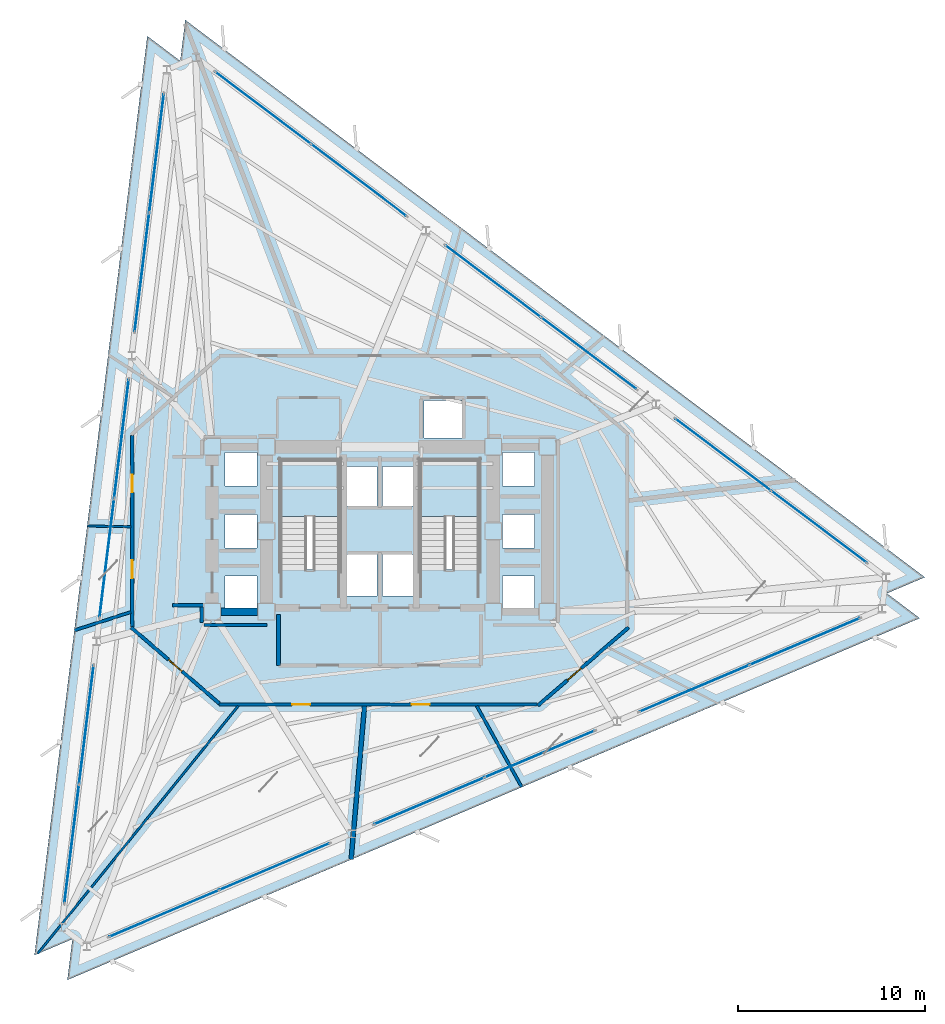
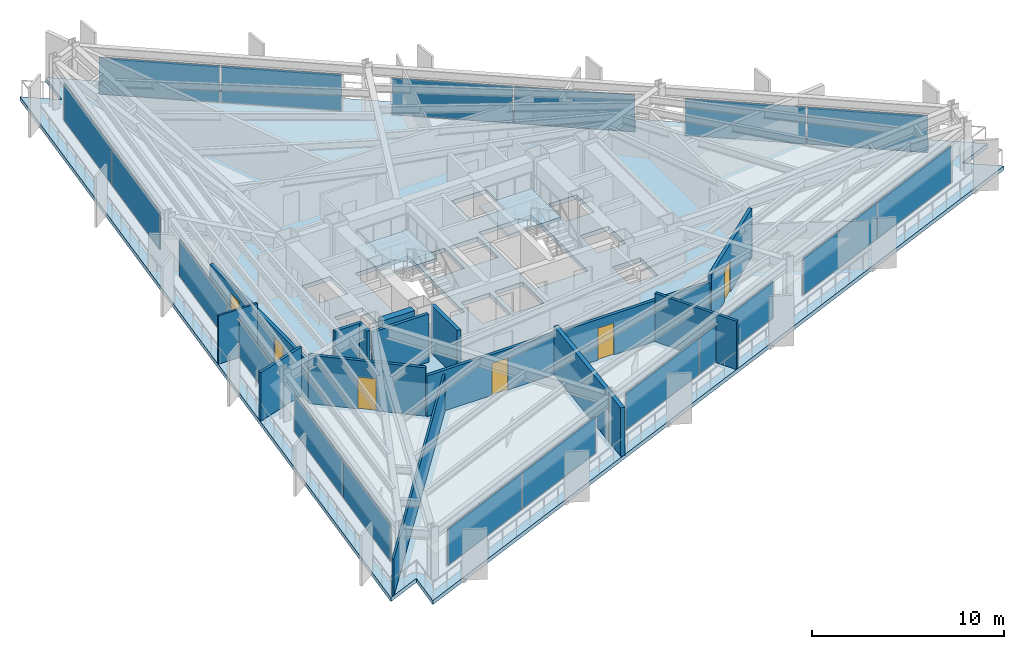
# One storey, part 6 of 13: 18 plates, 14 walls, 6 doors, 3 slabs, 6 openings, 11 elements without a shape of their own.
"""IFC4 building model written with IfcOpenShell, lengths in metres."""

import ifcopenshell
import ifcopenshell.guid

model = None  # the IFC model being written
_history = None  # IfcOwnerHistory: only IFC2X3 demands one
_inside = {}  # id of a spatial element -> (the spatial element, [elements in it])
_under = {}  # id of a project, library or spatial element -> (it, [spatial elements below it])
_declared = {}  # id of a project -> (the project, [libraries it declares])
_typed = {}  # id of a type object -> (the type object, [elements of that type])
_made_of = {}  # id of a material, layer set ... -> (it, [elements and type objects made of it])


def new_model(schema):
    """Start an empty IFC model of exactly this schema.

    Asked for "IFC4X3", IfcOpenShell would pick the latest addendum, in which some entities
    have other attributes; the version numbers below select the first issue.
    IFC2X3 requires an IfcOwnerHistory on every rooted entity: one is made here for all.
    """
    global model, _history
    if schema == "IFC4X3":
        model = ifcopenshell.file(schema_version=(4, 3, 0, 0))
    else:
        model = ifcopenshell.file(schema=schema)
    _inside.clear()
    _under.clear()
    _declared.clear()
    _typed.clear()
    _made_of.clear()
    _history = None
    if model.schema == "IFC2X3":
        org = make("IfcOrganization", Name="unknown")
        user = make(
            "IfcPersonAndOrganization",
            ThePerson=make("IfcPerson", FamilyName="unknown"),
            TheOrganization=org,
        )
        app = make(
            "IfcApplication",
            ApplicationDeveloper=org,
            Version="unknown",
            ApplicationFullName="unknown",
            ApplicationIdentifier="unknown",
        )
        _history = make(
            "IfcOwnerHistory",
            OwningUser=user,
            OwningApplication=app,
            ChangeAction="ADDED",
            CreationDate=0,
        )
    return model


def make(cls, **values):
    """One entity of the class cls with the attributes given. An attribute that is None is left unset."""
    return model.create_entity(
        cls, **{name: value for name, value in values.items() if value is not None}
    )


def rooted(cls, **values):
    """An entity with a GlobalId (a new one), such as an element, a storey or a relation."""
    return make(cls, GlobalId=ifcopenshell.guid.new(), OwnerHistory=_history, **values)


def si_unit(unit_type, name, prefix=None):
    """IfcSIUnit, for example si_unit("LENGTHUNIT", "METRE", prefix="MILLI")."""
    return make("IfcSIUnit", UnitType=unit_type, Prefix=prefix, Name=name)


def assignment(units):
    """IfcUnitAssignment: the units of a project."""
    return None if units is None else make("IfcUnitAssignment", Units=units)


def point(xyz):
    """IfcCartesianPoint."""
    return None if xyz is None else make("IfcCartesianPoint", Coordinates=xyz)


def direction(xyz):
    """IfcDirection."""
    return None if xyz is None else make("IfcDirection", DirectionRatios=xyz)


def frame(location, z_axis=None, x_axis=None):
    """IfcAxis2Placement3D, a coordinate frame: its origin and axes. An axis left out is left unset."""
    return make(
        "IfcAxis2Placement3D",
        Location=point(location),
        Axis=direction(z_axis),
        RefDirection=direction(x_axis),
    )


def frame_2d(location, x_axis=None):
    """IfcAxis2Placement2D, a coordinate frame in the plane: its origin and x axis."""
    return make(
        "IfcAxis2Placement2D", Location=point(location), RefDirection=direction(x_axis)
    )


def origin():
    """The frame at (0, 0, 0) with its axes left unset."""
    return frame((0.0, 0.0, 0.0))


def origin_2d():
    """The frame at (0, 0) in the plane with its x axis left unset."""
    return frame_2d((0.0, 0.0))


def place(relative_to, where):
    """IfcLocalPlacement: puts the frame where relative to a parent placement (None: the world)."""
    return make(
        "IfcLocalPlacement", PlacementRelTo=relative_to, RelativePlacement=where
    )


def context(
    kind, dimensions, precision=None, world=None, true_north=None, identifier=None
):
    """IfcGeometricRepresentationContext, for example the 3D "Model" context."""
    return make(
        "IfcGeometricRepresentationContext",
        ContextIdentifier=identifier,
        ContextType=kind,
        CoordinateSpaceDimension=dimensions,
        Precision=precision,
        WorldCoordinateSystem=world,
        TrueNorth=true_north,
    )


def subcontext(parent, identifier, kind, view, scale=None):
    """IfcGeometricRepresentationSubContext, for example "Body" below "Model"."""
    return make(
        "IfcGeometricRepresentationSubContext",
        ContextIdentifier=identifier,
        ContextType=kind,
        ParentContext=parent,
        TargetScale=scale,
        TargetView=view,
    )


def project(units=None, contexts=None):
    """IfcProject with its units and contexts."""
    return rooted(
        "IfcProject",
        Name="project",
        RepresentationContexts=contexts,
        UnitsInContext=assignment(units),
    )


def spatial(cls, under=None, at=None, **own):
    """A site, building, storey or space (cls), placed at a placement, below another one or the project."""
    s = rooted(cls, ObjectPlacement=at, **own)
    if under is not None:
        _under.setdefault(under.id(), (under, []))[1].append(s)
    return s


def polyline(points):
    """IfcPolyline through the points."""
    return make("IfcPolyline", Points=[point(p) for p in points])


def profile(cls, at=None, kind="AREA", **sizes):
    """A parametric profile (cls). Its sizes go by their IFC names, for example OverallWidth=200.0."""
    return make(cls, ProfileType=kind, Position=at, **sizes)


def rectangle(**sizes):
    """IfcRectangleProfileDef."""
    return profile("IfcRectangleProfileDef", **sizes)


def outline(outer, holes=None, kind="AREA"):
    """IfcArbitraryClosedProfileDef: a profile drawn as a closed curve; with holes, ...WithVoids."""
    if holes is None:
        return make("IfcArbitraryClosedProfileDef", ProfileType=kind, OuterCurve=outer)
    return make(
        "IfcArbitraryProfileDefWithVoids",
        ProfileType=kind,
        OuterCurve=outer,
        InnerCurves=holes,
    )


def extrude(swept, where, along, depth):
    """IfcExtrudedAreaSolid: the profile swept, set in the frame where, extruded along a direction by depth."""
    return make(
        "IfcExtrudedAreaSolid",
        SweptArea=swept,
        Position=where,
        ExtrudedDirection=direction(along),
        Depth=depth,
    )


def shape(context_of_items, identifier, shape_type, items):
    """IfcShapeRepresentation: the items that make up one representation, for example the "Body"."""
    return make(
        "IfcShapeRepresentation",
        ContextOfItems=context_of_items,
        RepresentationIdentifier=identifier,
        RepresentationType=shape_type,
        Items=items,
    )


def material(Name=None, Category=None):
    """IfcMaterial."""
    return make("IfcMaterial", Name=Name, Category=Category)


def layer(
    of_material, thickness, ventilated=None, Name=None, Category=None, Priority=None
):
    """IfcMaterialLayer: one layer of a wall or slab, of a material (None: an air gap)."""
    return make(
        "IfcMaterialLayer",
        Material=of_material,
        LayerThickness=thickness,
        IsVentilated=ventilated,
        Name=Name,
        Category=Category,
        Priority=Priority,
    )


def layer_set(layers, Name=None):
    """IfcMaterialLayerSet."""
    return make("IfcMaterialLayerSet", MaterialLayers=layers, LayerSetName=Name)


def made_of(thing, what):
    """Note that an element or type object is made of a material, layer set ...; save() writes the relation."""
    if what is not None:
        _made_of.setdefault(what.id(), (what, []))[1].append(thing)
    return thing


def type_object(cls, material=None, **own):
    """A type object (cls), such as IfcWallType, which elements share."""
    return made_of(rooted(cls, **own), material)


def element(
    cls,
    number,
    at=None,
    inside=None,
    cuts=None,
    type_object=None,
    material=None,
    context=None,
    identifier="Body",
    shape_type=None,
    held_by="IfcProductDefinitionShape",
    body=None,
    shapes=None,
    **own,
):
    """One element of the class cls, such as IfcWall. Its Tag is "e" and its number.

    at: its placement. inside: the storey or other place that contains it. cuts: it is an
    opening in that element (IfcRelVoidsElement). A single representation is given by context,
    identifier, shape_type and body (its items); several are given by shapes. held_by: the class
    of the entity that holds the representations. save() writes the other relations.
    """
    e = rooted(cls, Tag="e%d" % number, ObjectPlacement=at, **own)
    if body is not None:
        shapes = [shape(context, identifier, shape_type, body)]
    if shapes is not None:
        e.Representation = make(held_by, Representations=shapes)
    if inside is not None:
        _inside.setdefault(inside.id(), (inside, []))[1].append(e)
    if cuts is not None:
        rooted(
            "IfcRelVoidsElement", RelatingBuildingElement=cuts, RelatedOpeningElement=e
        )
    if type_object is not None:
        _typed.setdefault(type_object.id(), (type_object, []))[1].append(e)
    return made_of(e, material)


def fill(opening, filler):
    """IfcRelFillsElement: the door or window that sits in an opening."""
    return rooted(
        "IfcRelFillsElement",
        RelatingOpeningElement=opening,
        RelatedBuildingElement=filler,
    )


def aggregate(whole, parts):
    """IfcRelAggregates: a whole, such as a stair, and the parts it consists of."""
    return rooted("IfcRelAggregates", RelatingObject=whole, RelatedObjects=parts)


def save(model, path):
    """Write the relations noted so far, then the file.

    IfcRelAggregates (storeys below a building ...), IfcRelContainedInSpatialStructure (elements
    in a storey), IfcRelDefinesByType, IfcRelAssociatesMaterial and IfcRelDeclares: one each for
    every whole, place, type object, material and project.
    """
    for whole, parts in _under.values():
        aggregate(whole, parts)
    for where, things in _inside.values():
        rooted(
            "IfcRelContainedInSpatialStructure",
            RelatedElements=things,
            RelatingStructure=where,
        )
    for kind, things in _typed.values():
        rooted("IfcRelDefinesByType", RelatedObjects=things, RelatingType=kind)
    for what, things in _made_of.values():
        rooted("IfcRelAssociatesMaterial", RelatedObjects=things, RelatingMaterial=what)
    for by, libraries in _declared.values():
        rooted("IfcRelDeclares", RelatingContext=by, RelatedDefinitions=libraries)
    model.write(path)


model = new_model("IFC4")

# Units and contexts
model_context = context("Model", 3, precision=1e-05, world=origin(), true_north=direction((0.0, 1.0)))
body_context = subcontext(model_context, "Body", "Model", "MODEL_VIEW")
ifc_project = project(units=[si_unit("LENGTHUNIT", "METRE"), si_unit("AREAUNIT", "SQUARE_METRE"), si_unit("VOLUMEUNIT", "CUBIC_METRE"), si_unit("PLANEANGLEUNIT", "RADIAN"), si_unit("MASSUNIT", "GRAM", prefix="KILO")], contexts=[model_context])

# Site, building, storey
site_placement = place(None, origin())
site = spatial("IfcSite", under=ifc_project, at=site_placement, CompositionType="ELEMENT")
building_placement = place(site_placement, origin())
building = spatial("IfcBuilding", under=site, at=building_placement, Name="Rocaltana Carrier Exchange", CompositionType="ELEMENT")
storey_placement = place(building_placement, frame((0.0, 0.0, 63.0400390625)))
storey = spatial("IfcBuildingStorey", under=building, at=storey_placement, Name="L19", CompositionType="ELEMENT", Elevation=63.0400390625)

# Curtain wall, plates
ifc_material_1 = material(Name="Aluminium 6063-T6", Category="aluminium")
ifc_layer_1 = layer(ifc_material_1, 0.1650390625)
ifc_layer_set_1 = layer_set([ifc_layer_1], Name="Aluminium 6063-T6")
curtain_wall_type = type_object("IfcCurtainWallType", Name="Lower-Mid Stepped Curtain Wall CW-02", PredefinedType="NOTDEFINED", material=ifc_layer_set_1)
curtain_wall_1_placement = place(storey_placement, origin())
curtain_wall_1 = element("IfcCurtainWall", 1, at=curtain_wall_1_placement, inside=storey, type_object=curtain_wall_type, Name="L19 CW-02 Run CW-L19-F1S1", PredefinedType="NOTDEFINED")
ifc_material_2 = material(Name="Tempered Laminated Glass", Category="glass")
ifc_layer_2 = layer(ifc_material_2, 0.0419921875)
ifc_layer_set_2 = layer_set([ifc_layer_2], Name="Tempered Laminated Glass")
plate_type = type_object("IfcPlateType", Name="CW-02 Stone-Insulated Vision Panel", PredefinedType="CURTAIN_PANEL", material=ifc_layer_set_2)
plate_1_placement = place(storey_placement, frame((23.422607421875, 0.231201171875, 0.06494140625), z_axis=(0.0, 0.0, 1.0), x_axis=(-0.798641886792, 0.601806560833, 0.0)))
plate_1 = element("IfcPlate", 2, at=plate_1_placement, type_object=plate_type, Name="CW-02 panel 1.1", PredefinedType="CURTAIN_PANEL", context=body_context, shape_type="SweptSolid", body=[
    extrude(rectangle(XDim=6.335693359375, YDim=0.0419921875, at=origin_2d()), origin(), (0.0, 0.0, 1.0), 2.347900390625),
])
plate_2_placement = place(storey_placement, frame((18.310791015625, 4.083251953125, 0.06494140625), z_axis=(0.0, 0.0, 1.0), x_axis=(-0.798641886792, 0.601806560833, 0.0)))
plate_2 = element("IfcPlate", 3, at=plate_2_placement, type_object=plate_type, Name="CW-02 panel 2.1", PredefinedType="CURTAIN_PANEL", context=body_context, shape_type="SweptSolid", body=[
    extrude(rectangle(XDim=6.335693359375, YDim=0.0419921875, at=origin_2d()), origin(), (0.0, 0.0, 1.0), 2.347900390625),
])
aggregate(curtain_wall_1, [plate_1, plate_2])

curtain_wall_2_placement = place(storey_placement, origin())
curtain_wall_2 = element("IfcCurtainWall", 4, at=curtain_wall_2_placement, inside=storey, type_object=curtain_wall_type, Name="L19 CW-02 Run CW-L19-F1S2", PredefinedType="NOTDEFINED")
plate_3_placement = place(storey_placement, frame((11.150390625, 9.47900390625, 0.06494140625), z_axis=(0.0, 0.0, 1.0), x_axis=(-0.798635336443, 0.601815253533, 0.0)))
plate_3 = element("IfcPlate", 5, at=plate_3_placement, type_object=plate_type, Name="CW-02 panel 1.1", PredefinedType="CURTAIN_PANEL", context=body_context, shape_type="SweptSolid", body=[
    extrude(rectangle(XDim=6.335693359375, YDim=0.0419921875, at=origin_2d()), origin(), (0.0, 0.0, 1.0), 2.347900390625),
])
plate_4_placement = place(storey_placement, frame((6.038330078125, 13.3310546875, 0.06494140625), z_axis=(0.0, 0.0, 1.0), x_axis=(-0.798635336443, 0.601815253533, 0.0)))
plate_4 = element("IfcPlate", 6, at=plate_4_placement, type_object=plate_type, Name="CW-02 panel 2.1", PredefinedType="CURTAIN_PANEL", context=body_context, shape_type="SweptSolid", body=[
    extrude(rectangle(XDim=6.335693359375, YDim=0.0419921875, at=origin_2d()), origin(), (0.0, 0.0, 1.0), 2.347900390625),
])
aggregate(curtain_wall_2, [plate_3, plate_4])

curtain_wall_3_placement = place(storey_placement, origin())
curtain_wall_3 = element("IfcCurtainWall", 7, at=curtain_wall_3_placement, inside=storey, type_object=curtain_wall_type, Name="L19 CW-02 Run CW-L19-F1S3", PredefinedType="NOTDEFINED")
plate_5_placement = place(storey_placement, frame((-1.1220703125, 18.726806640625, 0.06494140625), z_axis=(0.0, 0.0, 1.0), x_axis=(-0.79863815132, 0.601811518049, 0.0)))
plate_5 = element("IfcPlate", 8, at=plate_5_placement, type_object=plate_type, Name="CW-02 panel 1.1", PredefinedType="CURTAIN_PANEL", context=body_context, shape_type="SweptSolid", body=[
    extrude(rectangle(XDim=6.3359375, YDim=0.0419921875, at=origin_2d()), origin(), (0.0, 0.0, 1.0), 2.347900390625),
])
plate_6_placement = place(storey_placement, frame((-6.23388671875, 22.5791015625, 0.06494140625), z_axis=(0.0, 0.0, 1.0), x_axis=(-0.79863815132, 0.601811518049, 0.0)))
plate_6 = element("IfcPlate", 9, at=plate_6_placement, type_object=plate_type, Name="CW-02 panel 2.1", PredefinedType="CURTAIN_PANEL", context=body_context, shape_type="SweptSolid", body=[
    extrude(rectangle(XDim=6.3359375, YDim=0.0419921875, at=origin_2d()), origin(), (0.0, 0.0, 1.0), 2.347900390625),
])
aggregate(curtain_wall_3, [plate_5, plate_6])

curtain_wall_4_placement = place(storey_placement, origin())
curtain_wall_4 = element("IfcCurtainWall", 10, at=curtain_wall_4_placement, inside=storey, type_object=curtain_wall_type, Name="L19 CW-02 Run CW-L19-F2S1", PredefinedType="NOTDEFINED")
plate_7_placement = place(storey_placement, frame((-11.91162109375, 20.169189453125, 0.06494140625), z_axis=(0.0, 0.0, 1.0), x_axis=(-0.121872630343, -0.992545748051, 0.0)))
plate_7 = element("IfcPlate", 11, at=plate_7_placement, type_object=plate_type, Name="CW-02 panel 1.1", PredefinedType="CURTAIN_PANEL", context=body_context, shape_type="SweptSolid", body=[
    extrude(rectangle(XDim=6.3359375, YDim=0.0419921875, at=origin_2d()), origin(), (0.0, 0.0, 1.0), 2.347900390625),
])
plate_8_placement = place(storey_placement, frame((-12.691650390625, 13.81591796875, 0.06494140625), z_axis=(0.0, 0.0, 1.0), x_axis=(-0.121872630343, -0.992545748051, 0.0)))
plate_8 = element("IfcPlate", 12, at=plate_8_placement, type_object=plate_type, Name="CW-02 panel 2.1", PredefinedType="CURTAIN_PANEL", context=body_context, shape_type="SweptSolid", body=[
    extrude(rectangle(XDim=6.3359375, YDim=0.0419921875, at=origin_2d()), origin(), (0.0, 0.0, 1.0), 2.347900390625),
])
aggregate(curtain_wall_4, [plate_7, plate_8])

curtain_wall_5_placement = place(storey_placement, origin())
curtain_wall_5 = element("IfcCurtainWall", 13, at=curtain_wall_5_placement, inside=storey, type_object=curtain_wall_type, Name="L19 CW-02 Run CW-L19-F2S2", PredefinedType="NOTDEFINED")
plate_9_placement = place(storey_placement, frame((-13.7841796875, 4.9169921875, 0.06494140625), z_axis=(0.0, 0.0, 1.0), x_axis=(-0.121873570472, -0.992545632614, 0.0)))
plate_9 = element("IfcPlate", 14, at=plate_9_placement, type_object=plate_type, Name="CW-02 panel 1.1", PredefinedType="CURTAIN_PANEL", context=body_context, shape_type="SweptSolid", body=[
    extrude(rectangle(XDim=6.335693359375, YDim=0.0419921875, at=origin_2d()), origin(), (0.0, 0.0, 1.0), 2.347900390625),
])
plate_10_placement = place(storey_placement, frame((-14.564208984375, -1.436279296875, 0.06494140625), z_axis=(0.0, 0.0, 1.0), x_axis=(-0.121873570472, -0.992545632614, 0.0)))
plate_10 = element("IfcPlate", 15, at=plate_10_placement, type_object=plate_type, Name="CW-02 panel 2.1", PredefinedType="CURTAIN_PANEL", context=body_context, shape_type="SweptSolid", body=[
    extrude(rectangle(XDim=6.335693359375, YDim=0.0419921875, at=origin_2d()), origin(), (0.0, 0.0, 1.0), 2.347900390625),
])
aggregate(curtain_wall_5, [plate_9, plate_10])

curtain_wall_6_placement = place(storey_placement, origin())
curtain_wall_6 = element("IfcCurtainWall", 16, at=curtain_wall_6_placement, inside=storey, type_object=curtain_wall_type, Name="L19 CW-02 Run CW-L19-F2S3", PredefinedType="NOTDEFINED")
plate_11_placement = place(storey_placement, frame((-15.656982421875, -10.335205078125, 0.06494140625), z_axis=(0.0, 0.0, 1.0), x_axis=(-0.121881227076, -0.992544692438, 0.0)))
plate_11 = element("IfcPlate", 17, at=plate_11_placement, type_object=plate_type, Name="CW-02 panel 1.1", PredefinedType="CURTAIN_PANEL", context=body_context, shape_type="SweptSolid", body=[
    extrude(rectangle(XDim=6.335693359375, YDim=0.0419921875, at=origin_2d()), origin(), (0.0, 0.0, 1.0), 2.347900390625),
])
plate_12_placement = place(storey_placement, frame((-16.43701171875, -16.688232421875, 0.06494140625), z_axis=(0.0, 0.0, 1.0), x_axis=(-0.121881227076, -0.992544692438, 0.0)))
plate_12 = element("IfcPlate", 18, at=plate_12_placement, type_object=plate_type, Name="CW-02 panel 2.1", PredefinedType="CURTAIN_PANEL", context=body_context, shape_type="SweptSolid", body=[
    extrude(rectangle(XDim=6.335693359375, YDim=0.0419921875, at=origin_2d()), origin(), (0.0, 0.0, 1.0), 2.347900390625),
])
aggregate(curtain_wall_6, [plate_11, plate_12])

curtain_wall_7_placement = place(storey_placement, origin())
curtain_wall_7 = element("IfcCurtainWall", 19, at=curtain_wall_7_placement, inside=storey, type_object=curtain_wall_type, Name="L19 CW-02 Run CW-L19-F3S1", PredefinedType="NOTDEFINED")
plate_13_placement = place(storey_placement, frame((-11.51123046875, -20.400146484375, 0.06494140625), z_axis=(0.0, 0.0, 1.0), x_axis=(0.920505895435, 0.390728673724, 0.0)))
plate_13 = element("IfcPlate", 20, at=plate_13_placement, type_object=plate_type, Name="CW-02 panel 1.1", PredefinedType="CURTAIN_PANEL", context=body_context, shape_type="SweptSolid", body=[
    extrude(rectangle(XDim=6.3359375, YDim=0.0419921875, at=origin_2d()), origin(), (0.0, 0.0, 1.0), 2.347900390625),
])
plate_14_placement = place(storey_placement, frame((-5.619140625, -17.899169921875, 0.06494140625), z_axis=(0.0, 0.0, 1.0), x_axis=(0.920505895435, 0.390728673724, 0.0)))
plate_14 = element("IfcPlate", 21, at=plate_14_placement, type_object=plate_type, Name="CW-02 panel 2.1", PredefinedType="CURTAIN_PANEL", context=body_context, shape_type="SweptSolid", body=[
    extrude(rectangle(XDim=6.3359375, YDim=0.0419921875, at=origin_2d()), origin(), (0.0, 0.0, 1.0), 2.347900390625),
])
aggregate(curtain_wall_7, [plate_13, plate_14])

curtain_wall_8_placement = place(storey_placement, origin())
curtain_wall_8 = element("IfcCurtainWall", 22, at=curtain_wall_8_placement, inside=storey, type_object=curtain_wall_type, Name="L19 CW-02 Run CW-L19-F3S2", PredefinedType="NOTDEFINED")
plate_15_placement = place(storey_placement, frame((2.634033203125, -14.39599609375, 0.06494140625), z_axis=(0.0, 0.0, 1.0), x_axis=(0.920505895435, 0.390728673724, 0.0)))
plate_15 = element("IfcPlate", 23, at=plate_15_placement, type_object=plate_type, Name="CW-02 panel 1.1", PredefinedType="CURTAIN_PANEL", context=body_context, shape_type="SweptSolid", body=[
    extrude(rectangle(XDim=6.3359375, YDim=0.0419921875, at=origin_2d()), origin(), (0.0, 0.0, 1.0), 2.347900390625),
])
plate_16_placement = place(storey_placement, frame((8.52587890625, -11.89501953125, 0.06494140625), z_axis=(0.0, 0.0, 1.0), x_axis=(0.920505895435, 0.390728673724, 0.0)))
plate_16 = element("IfcPlate", 24, at=plate_16_placement, type_object=plate_type, Name="CW-02 panel 2.1", PredefinedType="CURTAIN_PANEL", context=body_context, shape_type="SweptSolid", body=[
    extrude(rectangle(XDim=6.3359375, YDim=0.0419921875, at=origin_2d()), origin(), (0.0, 0.0, 1.0), 2.347900390625),
])
aggregate(curtain_wall_8, [plate_15, plate_16])

curtain_wall_9_placement = place(storey_placement, origin())
curtain_wall_9 = element("IfcCurtainWall", 25, at=curtain_wall_9_placement, inside=storey, type_object=curtain_wall_type, Name="L19 CW-02 Run CW-L19-F3S3", PredefinedType="NOTDEFINED")
plate_17_placement = place(storey_placement, frame((16.779052734375, -8.391845703125, 0.06494140625), z_axis=(0.0, 0.0, 1.0), x_axis=(0.920503100084, 0.390735259141, 0.0)))
plate_17 = element("IfcPlate", 26, at=plate_17_placement, type_object=plate_type, Name="CW-02 panel 1.1", PredefinedType="CURTAIN_PANEL", context=body_context, shape_type="SweptSolid", body=[
    extrude(rectangle(XDim=6.3359375, YDim=0.0419921875, at=origin_2d()), origin(), (0.0, 0.0, 1.0), 2.347900390625),
])
plate_18_placement = place(storey_placement, frame((22.671142578125, -5.890625, 0.06494140625), z_axis=(0.0, 0.0, 1.0), x_axis=(0.920503100084, 0.390735259141, 0.0)))
plate_18 = element("IfcPlate", 27, at=plate_18_placement, type_object=plate_type, Name="CW-02 panel 2.1", PredefinedType="CURTAIN_PANEL", context=body_context, shape_type="SweptSolid", body=[
    extrude(rectangle(XDim=6.3359375, YDim=0.0419921875, at=origin_2d()), origin(), (0.0, 0.0, 1.0), 2.347900390625),
])
aggregate(curtain_wall_9, [plate_17, plate_18])

# Slab
ifc_material_3 = material(Name="Concrete C60/75", Category="concrete")
ifc_layer_3 = layer(ifc_material_3, 0.260009765625)
ifc_layer_set_3 = layer_set([ifc_layer_3], Name="Concrete C60/75")
slab_type_1 = type_object("IfcSlabType", Name="Low-Zone Tower Slab 260", PredefinedType="FLOOR", material=ifc_layer_set_3)
slab_1_placement = place(storey_placement, frame((0.0, 0.0, -0.260009765625)))
element("IfcSlab", 28, at=slab_1_placement, inside=storey, type_object=slab_type_1, Name="L19 Structural Floor Slab", PredefinedType="FLOOR", context=body_context, shape_type="SweptSolid", body=[
    extrude(outline(polyline([(28.8046875, -4.64501953125), (27.0478515625, -3.321044921875), (29.072998046875, -2.46142578125), (-10.379638671875, 27.268310546875), (-10.647705078125, 25.084716796875), (-12.40478515625, 26.40869140625), (-18.425048828125, -22.623291015625), (-16.39990234375, -21.763671875), (-16.668212890625, -23.947265625), (28.8046875, -4.64501953125)]), holes=[polyline([(-5.300048828125, -2.06005859375), (-2.139892578125, -2.06005859375), (-2.139892578125, 3.800048828125), (-5.300048828125, 3.800048828125), (-5.300048828125, -2.06005859375)]), polyline([(2.139892578125, -2.06005859375), (5.300048828125, -2.06005859375), (5.300048828125, 3.800048828125), (2.139892578125, 3.800048828125), (2.139892578125, -2.06005859375)]), polyline([(-1.85009765625, -3.449951171875), (-0.14990234375, -3.449951171875), (-0.14990234375, -1.25), (-1.85009765625, -1.25), (-1.85009765625, -3.449951171875)]), polyline([(0.14990234375, -3.449951171875), (1.85009765625, -3.449951171875), (1.85009765625, -1.25), (0.14990234375, -1.25), (0.14990234375, -3.449951171875)]), polyline([(2.35009765625, 4.97998046875), (4.39990234375, 4.97998046875), (4.39990234375, 6.97998046875), (2.35009765625, 6.97998046875), (2.35009765625, 4.97998046875)]), polyline([(-1.85009765625, 1.35009765625), (-0.14990234375, 1.35009765625), (-0.14990234375, 3.449951171875), (-1.85009765625, 3.449951171875), (-1.85009765625, 1.35009765625)]), polyline([(0.14990234375, 1.35009765625), (1.85009765625, 1.35009765625), (1.85009765625, 3.449951171875), (0.14990234375, 3.449951171875), (0.14990234375, 1.35009765625)]), polyline([(-8.25, -4.199951171875), (-6.550048828125, -4.199951171875), (-6.550048828125, -2.39990234375), (-8.25, -2.39990234375), (-8.25, -4.199951171875)]), polyline([(-8.25, -0.89990234375), (-6.550048828125, -0.89990234375), (-6.550048828125, 0.89990234375), (-8.25, 0.89990234375), (-8.25, -0.89990234375)]), polyline([(-8.25, 2.39990234375), (-6.550048828125, 2.39990234375), (-6.550048828125, 4.199951171875), (-8.25, 4.199951171875), (-8.25, 2.39990234375)]), polyline([(6.550048828125, -4.199951171875), (8.25, -4.199951171875), (8.25, -2.39990234375), (6.550048828125, -2.39990234375), (6.550048828125, -4.199951171875)]), polyline([(6.550048828125, -0.89990234375), (8.25, -0.89990234375), (8.25, 0.89990234375), (6.550048828125, 0.89990234375), (6.550048828125, -0.89990234375)]), polyline([(6.550048828125, 2.39990234375), (8.25, 2.39990234375), (8.25, 4.199951171875), (6.550048828125, 4.199951171875), (6.550048828125, 2.39990234375)])]), origin(), (0.0, 0.0, 1.0), 0.260009765625),
])

# Stair, slab
ifc_material_4 = material(Name="Precast concrete C45/55", Category="concrete")
stair_type = type_object("IfcStairType", Name="Standard Dog-Leg Stair 160", PredefinedType="HALF_TURN_STAIR", material=ifc_material_4)
stair_1_placement = place(storey_placement, origin())
stair_1 = element("IfcStair", 29, at=stair_1_placement, inside=storey, type_object=stair_type, Name="L19 Core West Exit Stair ST-1", PredefinedType="HALF_TURN_STAIR")
ifc_material_5 = material(Name="Precast concrete C45/55", Category="concrete")
ifc_layer_4 = layer(ifc_material_5, 0.199951171875)
ifc_layer_set_4 = layer_set([ifc_layer_4], Name="Precast concrete C45/55")
slab_type_2 = type_object("IfcSlabType", Name="Precast Stair Half-Landing 200", PredefinedType="LANDING", material=ifc_layer_set_4)
slab_2_placement = place(storey_placement, frame((0.0, 0.0, 1.47998046875)))
slab_2 = element("IfcSlab", 30, at=slab_2_placement, type_object=slab_type_2, Name="ST-1 landing 1", PredefinedType="LANDING", context=body_context, shape_type="SweptSolid", body=[
    extrude(outline(polyline([(-2.139892578125, 0.780029296875), (-2.139892578125, 3.800048828125), (-5.300048828125, 3.800048828125), (-5.300048828125, 0.780029296875), (-2.139892578125, 0.780029296875)])), origin(), (0.0, 0.0, 1.0), 0.199951171875),
])
aggregate(stair_1, [slab_2])

stair_2_placement = place(storey_placement, origin())
stair_2 = element("IfcStair", 31, at=stair_2_placement, inside=storey, type_object=stair_type, Name="L19 Core East Exit Stair ST-2", PredefinedType="HALF_TURN_STAIR")
slab_3_placement = place(storey_placement, frame((0.0, 0.0, 1.47998046875)))
slab_3 = element("IfcSlab", 32, at=slab_3_placement, type_object=slab_type_2, Name="ST-2 landing 1", PredefinedType="LANDING", context=body_context, shape_type="SweptSolid", body=[
    extrude(outline(polyline([(5.300048828125, 0.780029296875), (5.300048828125, 3.800048828125), (2.139892578125, 3.800048828125), (2.139892578125, 0.780029296875), (5.300048828125, 0.780029296875)])), origin(), (0.0, 0.0, 1.0), 0.199951171875),
])
aggregate(stair_2, [slab_3])

# Walls
ifc_material_6 = material(Name="Double Acoustic Gypsum Partition", Category="gypsum")
ifc_layer_5 = layer(ifc_material_6, 0.159912109375)
ifc_layer_set_5 = layer_set([ifc_layer_5], Name="Double Acoustic Gypsum Partition")
wall_type_1 = type_object("IfcWallType", Name="Acoustic Studio Partition 160 EI60", PredefinedType="PARTITIONING", material=ifc_layer_set_5)
wall_1_placement = place(storey_placement, frame((-13.280029296875, -4.31494140625, 0.0), z_axis=(0.0, 0.0, 1.0), x_axis=(-0.951057330934, -0.309014487164, 0.0)))
element("IfcWall", 33, at=wall_1_placement, inside=storey, type_object=wall_type_1, Name="L19 Suite Divider Wall D1", PredefinedType="PARTITIONING", context=body_context, shape_type="SweptSolid", body=[
    extrude(rectangle(XDim=3.161865234375, YDim=0.159912109375, at=frame_2d((1.5810546875, 0.0))), origin(), (0.0, 0.0, 1.0), 3.072998046875),
])
wall_2_placement = place(storey_placement, frame((5.171630859375, -9.330078125, 0.0), z_axis=(0.0, 0.0, 1.0), x_axis=(0.484815832005, -0.874616263876, 0.0)))
element("IfcWall", 34, at=wall_2_placement, inside=storey, type_object=wall_type_1, Name="L19 Suite Divider Wall D4", PredefinedType="PARTITIONING", context=body_context, shape_type="SweptSolid", body=[
    extrude(rectangle(XDim=4.9384765625, YDim=0.159912109375, at=frame_2d((2.46923828125, 0.0))), origin(), (0.0, 0.0, 1.0), 3.072998046875),
])
ifc_material_7 = material(Name="Concrete C50/60", Category="concrete")
ifc_layer_6 = layer(ifc_material_7, 0.39990234375)
ifc_layer_set_6 = layer_set([ifc_layer_6], Name="Concrete C50/60")
wall_type_2 = type_object("IfcWallType", Name="Core Internal Shear Wall 400", PredefinedType="SHEAR", material=ifc_layer_set_6)
wall_3_placement = place(storey_placement, frame((-8.47509765625, -4.300048828125, 0.0), z_axis=(0.0, 0.0, 1.0), x_axis=(1.0, 0.0, 0.0)))
element("IfcWall", 35, at=wall_3_placement, inside=storey, type_object=wall_type_2, Name="L19 Core Shear Wall CW-WWS", PredefinedType="SHEAR", context=body_context, shape_type="SweptSolid", body=[
    extrude(rectangle(XDim=1.9501953125, YDim=0.39990234375, at=frame_2d((0.97509765625, 0.0))), origin(), (0.0, 0.0, 1.0), 3.097900390625),
])

# Wall, opening, door
ifc_material_8 = material(Name="Gypsum & Steel Stud Partition", Category="steel")
ifc_layer_7 = layer(ifc_material_8, 0.179931640625)
ifc_layer_set_7 = layer_set([ifc_layer_7], Name="Gypsum & Steel Stud Partition")
wall_type_3 = type_object("IfcWallType", Name="Corridor Fire Partition 180 EI60", PredefinedType="PARTITIONING", material=ifc_layer_set_7)
wall_4_placement = place(storey_placement, frame((13.268310546875, -5.14111328125, 0.0), z_axis=(0.0, 0.0, 1.0), x_axis=(-0.757534501725, -0.65279512766, 0.0)))
wall_4 = element("IfcWall", 36, at=wall_4_placement, inside=storey, type_object=wall_type_3, Name="L19 Corridor Partition 4", PredefinedType="PARTITIONING", context=body_context, shape_type="SweptSolid", body=[
    extrude(rectangle(XDim=6.384521484375, YDim=0.179931640625, at=frame_2d((3.1923828125, 0.0))), origin(), (0.0, 0.0, 1.0), 3.072998046875),
])
opening_1_placement = place(wall_4_placement, frame((3.345703125, 0.0, 0.0)))
opening_1 = element("IfcOpeningElement", 37, at=opening_1_placement, cuts=wall_4, Name="Opening D-RM098", PredefinedType="OPENING", context=body_context, shape_type="SweptSolid", body=[
    extrude(rectangle(XDim=0.9599609375, YDim=2.02001953125, at=frame_2d((0.47998046875, 1.010009765625))), frame((0.0, 0.099853515625, 0.0), z_axis=(0.0, -1.0, 0.0), x_axis=(1.0, 0.0, 0.0)), (0.0, 0.0, 1.0), 0.199951171875),
])
ifc_material_9 = material(Name="Engineered Hardwood Timber", Category="wood")
door_type = type_object("IfcDoorType", Name="Workspace Single Door 960x2020", OperationType="NOTDEFINED", PredefinedType="DOOR", material=ifc_material_9)
door_1_placement = place(opening_1_placement, origin())
door_1 = element("IfcDoor", 38, at=door_1_placement, inside=storey, type_object=door_type, Name="L19 Peering Conference Room Entrance Door", OperationType="SINGLE_SWING_RIGHT", OverallHeight=2.02001953125, OverallWidth=0.9599609375, PredefinedType="DOOR", context=body_context, shape_type="SweptSolid", body=[
    extrude(rectangle(XDim=0.9599609375, YDim=2.02001953125, at=frame_2d((0.47998046875, 1.010009765625))), frame((0.0, 0.02490234375, 0.0), z_axis=(0.0, -1.0, 0.0), x_axis=(1.0, 0.0, 0.0)), (0.0, 0.0, 1.0), 0.050048828125),
])
fill(opening_1, door_1)

# Wall, openings, doors
wall_5_placement = place(storey_placement, frame((8.409912109375, -9.25, 0.0), z_axis=(0.0, 0.0, 1.0), x_axis=(-1.0, 0.0, 0.0)))
wall_5 = element("IfcWall", 39, at=wall_5_placement, inside=storey, type_object=wall_type_3, Name="L19 Corridor Partition 5", PredefinedType="PARTITIONING", context=body_context, shape_type="SweptSolid", body=[
    extrude(rectangle(XDim=17.0, YDim=0.179931640625, at=frame_2d((8.5, 0.0))), origin(), (0.0, 0.0, 1.0), 2.5869140625),
])
opening_2_placement = place(wall_5_placement, frame((12.126953125, 0.0, 0.0)))
opening_2 = element("IfcOpeningElement", 40, at=opening_2_placement, cuts=wall_5, Name="Opening D-RM098", PredefinedType="OPENING", context=body_context, shape_type="SweptSolid", body=[
    extrude(rectangle(XDim=0.9599609375, YDim=2.02001953125, at=frame_2d((0.47998046875, 1.010009765625))), frame((0.0, 0.099853515625, 0.0), z_axis=(0.0, -1.0, 0.0), x_axis=(1.0, 0.0, 0.0)), (0.0, 0.0, 1.0), 0.199951171875),
])
opening_3_placement = place(wall_5_placement, frame((5.75, 0.0, 0.0)))
opening_3 = element("IfcOpeningElement", 41, at=opening_3_placement, cuts=wall_5, Name="Opening D-RM098", PredefinedType="OPENING", context=body_context, shape_type="SweptSolid", body=[
    extrude(rectangle(XDim=0.9599609375, YDim=2.02001953125, at=frame_2d((0.47998046875, 1.010009765625))), frame((0.0, 0.099853515625, 0.0), z_axis=(0.0, -1.0, 0.0), x_axis=(1.0, 0.0, 0.0)), (0.0, 0.0, 1.0), 0.199951171875),
])
door_2_placement = place(opening_2_placement, origin())
door_2 = element("IfcDoor", 42, at=door_2_placement, inside=storey, type_object=door_type, Name="L19 Client Reception Foyer Entrance Door", OperationType="SINGLE_SWING_RIGHT", OverallHeight=2.02001953125, OverallWidth=0.9599609375, PredefinedType="DOOR", context=body_context, shape_type="SweptSolid", body=[
    extrude(rectangle(XDim=0.9599609375, YDim=2.02001953125, at=frame_2d((0.47998046875, 1.010009765625))), frame((0.0, 0.02490234375, 0.0), z_axis=(0.0, -1.0, 0.0), x_axis=(1.0, 0.0, 0.0)), (0.0, 0.0, 1.0), 0.050048828125),
])
fill(opening_2, door_2)
door_3_placement = place(opening_3_placement, origin())
door_3 = element("IfcDoor", 43, at=door_3_placement, inside=storey, type_object=door_type, Name="L19 Cloud Architecture Office Entrance Door", OperationType="SINGLE_SWING_LEFT", OverallHeight=2.02001953125, OverallWidth=0.9599609375, PredefinedType="DOOR", context=body_context, shape_type="SweptSolid", body=[
    extrude(rectangle(XDim=0.9599609375, YDim=2.02001953125, at=frame_2d((0.47998046875, 1.010009765625))), frame((0.0, 0.02490234375, 0.0), z_axis=(0.0, -1.0, 0.0), x_axis=(1.0, 0.0, 0.0)), (0.0, 0.0, 1.0), 0.050048828125),
])
fill(opening_3, door_3)

# Wall, opening, door
wall_6_placement = place(storey_placement, frame((-8.568115234375, -9.191162109375, 0.0), z_axis=(0.0, 0.0, 1.0), x_axis=(-0.757556899173, 0.652769135694, 0.0)))
wall_6 = element("IfcWall", 44, at=wall_6_placement, inside=storey, type_object=wall_type_3, Name="L19 Corridor Partition 6", PredefinedType="PARTITIONING", context=body_context, shape_type="SweptSolid", body=[
    extrude(rectangle(XDim=6.204345703125, YDim=0.179931640625, at=frame_2d((3.10205078125, 0.0))), origin(), (0.0, 0.0, 1.0), 3.072998046875),
])
opening_4_placement = place(wall_6_placement, frame((2.6220703125, 0.0, 0.0)))
opening_4 = element("IfcOpeningElement", 45, at=opening_4_placement, cuts=wall_6, Name="Opening D-RM098", PredefinedType="OPENING", context=body_context, shape_type="SweptSolid", body=[
    extrude(rectangle(XDim=0.9599609375, YDim=2.02001953125, at=frame_2d((0.47998046875, 1.010009765625))), frame((0.0, 0.099853515625, 0.0), z_axis=(0.0, -1.0, 0.0), x_axis=(1.0, 0.0, 0.0)), (0.0, 0.0, 1.0), 0.199951171875),
])
door_4_placement = place(opening_4_placement, origin())
door_4 = element("IfcDoor", 46, at=door_4_placement, inside=storey, type_object=door_type, Name="L19 Staff Break Pantry Entrance Door", OperationType="SINGLE_SWING_LEFT", OverallHeight=2.02001953125, OverallWidth=0.9599609375, PredefinedType="DOOR", context=body_context, shape_type="SweptSolid", body=[
    extrude(rectangle(XDim=0.9599609375, YDim=2.02001953125, at=frame_2d((0.47998046875, 1.010009765625))), frame((0.0, 0.02490234375, 0.0), z_axis=(0.0, -1.0, 0.0), x_axis=(1.0, 0.0, 0.0)), (0.0, 0.0, 1.0), 0.050048828125),
])
fill(opening_4, door_4)

# Wall, openings, doors
wall_7_placement = place(storey_placement, frame((-13.199951171875, -5.110107421875, 0.0), z_axis=(0.0, 0.0, 1.0), x_axis=(0.0, 1.0, 0.0)))
wall_7 = element("IfcWall", 47, at=wall_7_placement, inside=storey, type_object=wall_type_3, Name="L19 Corridor Partition 7", PredefinedType="PARTITIONING", context=body_context, shape_type="SweptSolid", body=[
    extrude(rectangle(XDim=10.22021484375, YDim=0.179931640625, at=frame_2d((5.110107421875, 0.0))), origin(), (0.0, 0.0, 1.0), 2.5869140625),
])
opening_5_placement = place(wall_7_placement, frame((2.589599609375, 0.0, 0.0)))
opening_5 = element("IfcOpeningElement", 48, at=opening_5_placement, cuts=wall_7, Name="Opening D-RM098", PredefinedType="OPENING", context=body_context, shape_type="SweptSolid", body=[
    extrude(rectangle(XDim=0.9599609375, YDim=2.02001953125, at=frame_2d((0.47998046875, 1.010009765625))), frame((0.0, 0.099853515625, 0.0), z_axis=(0.0, -1.0, 0.0), x_axis=(1.0, 0.0, 0.0)), (0.0, 0.0, 1.0), 0.199951171875),
])
opening_6_placement = place(wall_7_placement, frame((7.1708984375, 0.0, 0.0)))
opening_6 = element("IfcOpeningElement", 49, at=opening_6_placement, cuts=wall_7, Name="Opening D-RM098", PredefinedType="OPENING", context=body_context, shape_type="SweptSolid", body=[
    extrude(rectangle(XDim=0.9599609375, YDim=2.02001953125, at=frame_2d((0.47998046875, 1.010009765625))), frame((0.0, 0.099853515625, 0.0), z_axis=(0.0, -1.0, 0.0), x_axis=(1.0, 0.0, 0.0)), (0.0, 0.0, 1.0), 0.199951171875),
])
door_5_placement = place(opening_5_placement, origin())
door_5 = element("IfcDoor", 50, at=door_5_placement, inside=storey, type_object=door_type, Name="L19 Client Reception Foyer Entrance Door", OperationType="SINGLE_SWING_RIGHT", OverallHeight=2.02001953125, OverallWidth=0.9599609375, PredefinedType="DOOR", context=body_context, shape_type="SweptSolid", body=[
    extrude(rectangle(XDim=0.9599609375, YDim=2.02001953125, at=frame_2d((0.47998046875, 1.010009765625))), frame((0.0, 0.02490234375, 0.0), z_axis=(0.0, -1.0, 0.0), x_axis=(1.0, 0.0, 0.0)), (0.0, 0.0, 1.0), 0.050048828125),
])
fill(opening_5, door_5)
door_6_placement = place(opening_6_placement, origin())
door_6 = element("IfcDoor", 51, at=door_6_placement, inside=storey, type_object=door_type, Name="L19 Client Reception Foyer Entrance Door", OperationType="SINGLE_SWING_RIGHT", OverallHeight=2.02001953125, OverallWidth=0.9599609375, PredefinedType="DOOR", context=body_context, shape_type="SweptSolid", body=[
    extrude(rectangle(XDim=0.9599609375, YDim=2.02001953125, at=frame_2d((0.47998046875, 1.010009765625))), frame((0.0, 0.02490234375, 0.0), z_axis=(0.0, -1.0, 0.0), x_axis=(1.0, 0.0, 0.0)), (0.0, 0.0, 1.0), 0.050048828125),
])
fill(opening_6, door_6)

# Walls
wall_8_placement = place(storey_placement, frame((-11.070068359375, -3.9599609375, 0.0), z_axis=(0.0, 0.0, 1.0), x_axis=(1.0, 0.0, 0.0)))
element("IfcWall", 52, at=wall_8_placement, inside=storey, type_object=wall_type_3, Name="L19 Corridor Partition 11", PredefinedType="PARTITIONING", context=body_context, shape_type="SweptSolid", body=[
    extrude(rectangle(XDim=1.650146484375, YDim=0.179931640625, at=frame_2d((0.8251953125, 0.0))), origin(), (0.0, 0.0, 1.0), 3.072998046875),
])
wall_9_placement = place(storey_placement, frame((-9.510009765625, -4.050048828125, 0.0), z_axis=(0.0, 0.0, 1.0), x_axis=(0.0, -1.0, 0.0)))
element("IfcWall", 53, at=wall_9_placement, inside=storey, type_object=wall_type_3, Name="L19 Corridor Partition 12", PredefinedType="PARTITIONING", context=body_context, shape_type="SweptSolid", body=[
    extrude(rectangle(XDim=0.820068359375, YDim=0.179931640625, at=frame_2d((0.41015625, 0.0))), origin(), (0.0, 0.0, 1.0), 3.072998046875),
])
wall_10_placement = place(storey_placement, frame((-9.3701171875, -5.010009765625, 0.0), z_axis=(0.0, 0.0, 1.0), x_axis=(1.0, 0.0, 0.0)))
element("IfcWall", 54, at=wall_10_placement, inside=storey, type_object=wall_type_3, Name="L19 Corridor Partition 13", PredefinedType="PARTITIONING", context=body_context, shape_type="SweptSolid", body=[
    extrude(rectangle(XDim=3.340087890625, YDim=0.179931640625, at=frame_2d((1.669921875, 0.0))), origin(), (0.0, 0.0, 1.0), 3.072998046875),
])
ifc_material_10 = material(Name="Aluminium 6063-T6 & Acoustic Glass", Category="aluminium")
ifc_layer_8 = layer(ifc_material_10, 0.114990234375)
ifc_layer_set_8 = layer_set([ifc_layer_8], Name="Aluminium 6063-T6 & Acoustic Glass")
wall_type_4 = type_object("IfcWallType", Name="Demountable Glazed Lab Partition 115", PredefinedType="MOVABLE", material=ifc_layer_set_8)
wall_11_placement = place(storey_placement, frame((-7.555419921875, -9.330078125, 0.0), z_axis=(0.0, 0.0, 1.0), x_axis=(-0.629320948329, -0.777145510181, 0.0)))
element("IfcWall", 55, at=wall_11_placement, inside=storey, type_object=wall_type_4, Name="L19 Suite Divider Wall D2", PredefinedType="MOVABLE", context=body_context, shape_type="SweptSolid", body=[
    extrude(rectangle(XDim=16.99609375, YDim=0.114990234375, at=frame_2d((8.498046875, 0.0))), origin(), (0.0, 0.0, 1.0), 2.35791015625),
])
wall_12_placement = place(storey_placement, frame((-13.280029296875, 0.231689453125, 0.0), z_axis=(0.0, 0.0, 1.0), x_axis=(-0.999846109686, 0.017543002765, 0.0)))
element("IfcWall", 56, at=wall_12_placement, inside=storey, type_object=wall_type_4, Name="L19 Suite Divider Wall D11", PredefinedType="MOVABLE", context=body_context, shape_type="SweptSolid", body=[
    extrude(rectangle(XDim=2.323974609375, YDim=0.114990234375, at=frame_2d((1.162109375, 0.0))), origin(), (0.0, 0.0, 1.0), 3.072998046875),
])
ifc_material_11 = material(Name="Autoclaved Aerated Concrete C30/37", Category="concrete")
ifc_layer_9 = layer(ifc_material_11, 0.219970703125)
ifc_layer_set_9 = layer_set([ifc_layer_9], Name="Autoclaved Aerated Concrete C30/37")
wall_type_5 = type_object("IfcWallType", Name="Firefighting Lobby Wall 220 EI120", PredefinedType="PARTITIONING", material=ifc_layer_set_9)
wall_13_placement = place(storey_placement, frame((-5.39990234375, -7.159912109375, 0.0), z_axis=(0.0, 0.0, 1.0), x_axis=(0.0, 1.0, 0.0)))
element("IfcWall", 57, at=wall_13_placement, inside=storey, type_object=wall_type_5, Name="L19 FFL Lobby 1 West Wall", PredefinedType="PARTITIONING", context=body_context, shape_type="SweptSolid", body=[
    extrude(rectangle(XDim=2.7099609375, YDim=0.219970703125, at=frame_2d((1.35498046875, 0.0))), origin(), (0.0, 0.0, 1.0), 3.072998046875),
])
ifc_material_12 = material(Name="Acoustic Calcium Silicate Partition", Category="gypsum")
ifc_layer_10 = layer(ifc_material_12, 0.239990234375)
ifc_layer_set_10 = layer_set([ifc_layer_10], Name="Acoustic Calcium Silicate Partition")
wall_type_6 = type_object("IfcWallType", Name="Heavy Lab Partition 240 EI90", PredefinedType="PARTITIONING", material=ifc_layer_set_10)
wall_14_placement = place(storey_placement, frame((-0.81640625, -9.330078125, 0.0), z_axis=(0.0, 0.0, 1.0), x_axis=(-0.087131179551, -0.996196846788, 0.0)))
element("IfcWall", 58, at=wall_14_placement, inside=storey, type_object=wall_type_6, Name="L19 Suite Divider Wall D3", PredefinedType="PARTITIONING", context=body_context, shape_type="SweptSolid", body=[
    extrude(rectangle(XDim=8.212646484375, YDim=0.239990234375, at=frame_2d((4.1064453125, 0.0))), origin(), (0.0, 0.0, 1.0), 3.072998046875),
])

save(model, "model.ifc")
